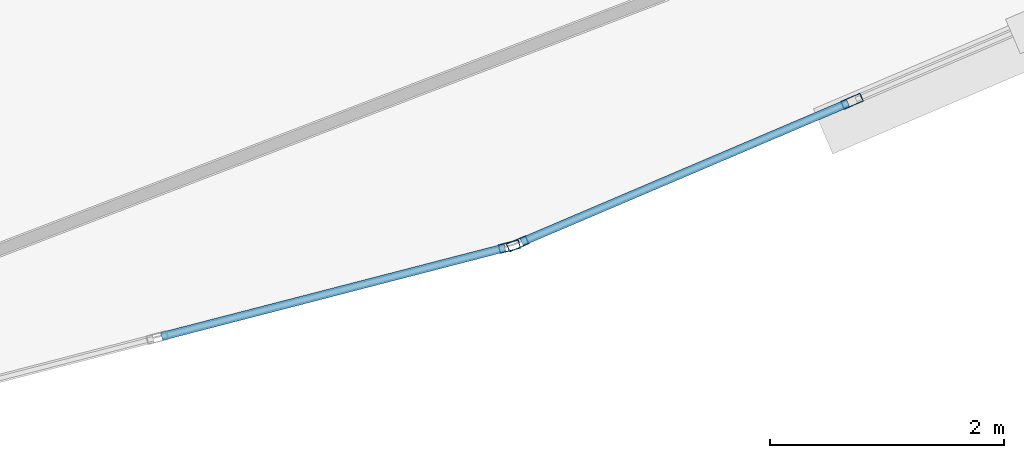
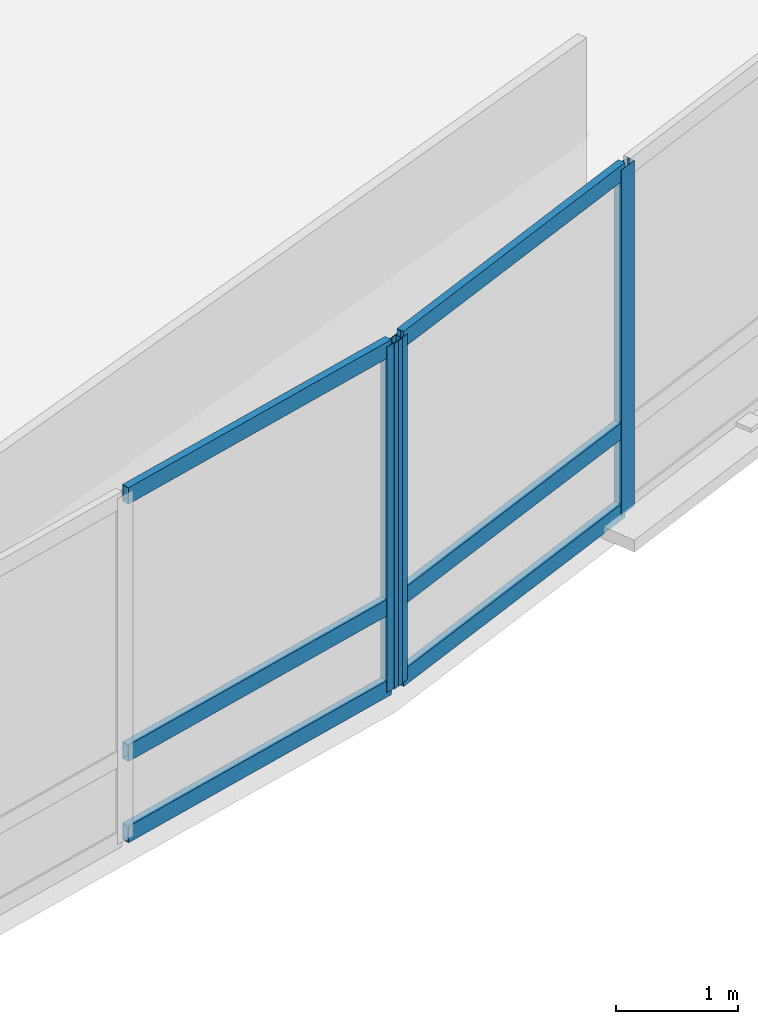
# One storey, part 6 of 20: 9 members, 2 elements without a shape of their own.
"""IFC4 building model written with IfcOpenShell, lengths in metres."""

from ifc_helpers import new_model, si_unit, direction, frame, origin, origin_2d, place, context, subcontext, project, spatial, hollow_rectangle, extrude, material, layer, layer_set, material_profile, profile_set, type_object, element, aggregate, save


model = new_model("IFC4")

# Units and contexts
model_context = context("Model", 3, precision=1e-05, world=origin(), true_north=direction((0.0, 1.0)))
body_context = subcontext(model_context, "Body", "Model", "MODEL_VIEW")
ifc_project = project(units=[si_unit("LENGTHUNIT", "METRE"), si_unit("AREAUNIT", "SQUARE_METRE"), si_unit("VOLUMEUNIT", "CUBIC_METRE"), si_unit("PLANEANGLEUNIT", "RADIAN"), si_unit("MASSUNIT", "GRAM", prefix="KILO")], contexts=[model_context])

# Site, building, storey
site_placement = place(None, origin())
site = spatial("IfcSite", under=ifc_project, at=site_placement, CompositionType="ELEMENT")
building_placement = place(site_placement, origin())
building = spatial("IfcBuilding", under=site, at=building_placement, Name="Menara Vayukalpa", CompositionType="ELEMENT")
storey_placement = place(building_placement, frame((0.0, 0.0, 57.360107421875)))
storey = spatial("IfcBuildingStorey", under=building, at=storey_placement, Name="L13", CompositionType="ELEMENT", Elevation=57.360107421875)

# Curtain wall, member
ifc_material_1 = material(Name="Anodised Terracotta Aluminium Alloy 6063-T6", Category="masonry")
ifc_layer = layer(ifc_material_1, 0.179931640625)
ifc_layer_set = layer_set([ifc_layer], Name="Anodised Terracotta Aluminium Alloy 6063-T6")
curtain_wall_type = type_object("IfcCurtainWallType", Name="CW-CW4", PredefinedType="USERDEFINED", material=ifc_layer_set)
curtain_wall_1_placement = place(storey_placement, origin())
curtain_wall_1 = element("IfcCurtainWall", 1, at=curtain_wall_1_placement, inside=storey, type_object=curtain_wall_type, Name="L13 Sky Bar Cantilever Glazed Curtain Wall CW4 16", ObjectType="UNITISED", PredefinedType="USERDEFINED")
ifc_material_2 = material(Name="Anodised Terracotta Aluminium Alloy 6063-T6", Category="masonry")
ifc_material_profile_1 = material_profile(ifc_material_2, hollow_rectangle(XDim=0.074951171875, YDim=0.179931640625, WallThickness=0.00390625, at=origin_2d()), Name="ALU 75x180x4")
ifc_profile_set_1 = profile_set([ifc_material_profile_1], Name="Anodised Terracotta Aluminium Alloy 6063-T6")
member_type_1 = type_object("IfcMemberType", Name="CWM-CW4", PredefinedType="MULLION", material=ifc_profile_set_1)
member_1_placement = place(storey_placement, frame((38.3837890625, 10.78466796875, 0.0), z_axis=(0.0, 0.0, 1.0), x_axis=(-0.25040286747, 0.968141727209, 0.0)))
member_1 = element("IfcMember", 2, at=member_1_placement, type_object=member_type_1, Name="CW4 mullion 4", PredefinedType="MULLION", context=body_context, shape_type="SweptSolid", body=[
    extrude(hollow_rectangle(XDim=0.074951171875, YDim=0.179931640625, WallThickness=0.00390625, at=origin_2d()), origin(), (0.0, 0.0, 1.0), 3.469970703125),
])

# Curtain wall, members
curtain_wall_2_placement = place(storey_placement, origin())
curtain_wall_2 = element("IfcCurtainWall", 3, at=curtain_wall_2_placement, inside=storey, type_object=curtain_wall_type, Name="L13 Sky Bar Cantilever Glazed Curtain Wall CW4 17", ObjectType="UNITISED", PredefinedType="USERDEFINED")
member_2_placement = place(storey_placement, frame((38.45458984375, 10.80859375, 0.0), z_axis=(0.0, 0.0, 1.0), x_axis=(-0.392008132718, 0.919961751315, 0.0)))
member_2 = element("IfcMember", 4, at=member_2_placement, type_object=member_type_1, Name="CW4 mullion 1", PredefinedType="MULLION", context=body_context, shape_type="SweptSolid", body=[
    extrude(hollow_rectangle(XDim=0.074951171875, YDim=0.179931640625, WallThickness=0.00390625, at=origin_2d()), origin(), (0.0, 0.0, 1.0), 3.469970703125),
])
member_3_placement = place(storey_placement, frame((41.3125, 12.026611328125, 0.0), z_axis=(0.0, 0.0, 1.0), x_axis=(-0.392008132718, 0.919961751315, 0.0)))
member_3 = element("IfcMember", 5, at=member_3_placement, type_object=member_type_1, Name="CW4 mullion 2", PredefinedType="MULLION", context=body_context, shape_type="SweptSolid", body=[
    extrude(hollow_rectangle(XDim=0.074951171875, YDim=0.179931640625, WallThickness=0.00390625, at=origin_2d()), origin(), (0.0, 0.0, 1.0), 3.469970703125),
])

# Member
ifc_material_3 = material(Name="Anodised Terracotta Aluminium Alloy 6063-T6", Category="masonry")
ifc_material_profile_2 = material_profile(ifc_material_3, hollow_rectangle(XDim=0.070068359375, YDim=0.1650390625, WallThickness=0.00390625, at=origin_2d()), Name="ALU 70x165x4")
ifc_profile_set_2 = profile_set([ifc_material_profile_2], Name="Anodised Terracotta Aluminium Alloy 6063-T6")
member_type_2 = type_object("IfcMemberType", Name="CWT-CW4", PredefinedType="USERDEFINED", material=ifc_profile_set_2)
member_4_placement = place(storey_placement, frame((35.412353515625, 10.01611328125, 0.034912109375), z_axis=(0.968149604166, 0.250372410527, 0.0), x_axis=(-0.250372410527, 0.968149604166, 0.0)))
member_4 = element("IfcMember", 6, at=member_4_placement, type_object=member_type_2, Name="CW4 transom 3.1", ObjectType="TRANSOM", PredefinedType="USERDEFINED", context=body_context, shape_type="SweptSolid", body=[
    extrude(hollow_rectangle(XDim=0.070068359375, YDim=0.1650390625, WallThickness=0.00390625, at=origin_2d()), origin(), (0.0, 0.0, 1.0), 3.03173828125),
])

member_5_placement = place(storey_placement, frame((35.412353515625, 10.01611328125, 0.849853515625), z_axis=(0.968149604166, 0.250372410527, 0.0), x_axis=(-0.250372410527, 0.968149604166, 0.0)))
member_5 = element("IfcMember", 7, at=member_5_placement, type_object=member_type_2, Name="CW4 transom 3.2", ObjectType="TRANSOM", PredefinedType="USERDEFINED", context=body_context, shape_type="SweptSolid", body=[
    extrude(hollow_rectangle(XDim=0.070068359375, YDim=0.1650390625, WallThickness=0.00390625, at=origin_2d()), origin(), (0.0, 0.0, 1.0), 3.03173828125),
])

member_6_placement = place(storey_placement, frame((35.412353515625, 10.01611328125, 3.434814453125), z_axis=(0.968149604166, 0.250372410527, 0.0), x_axis=(-0.250372410527, 0.968149604166, 0.0)))
member_6 = element("IfcMember", 8, at=member_6_placement, type_object=member_type_2, Name="CW4 transom 3.3", ObjectType="TRANSOM", PredefinedType="USERDEFINED", context=body_context, shape_type="SweptSolid", body=[
    extrude(hollow_rectangle(XDim=0.070068359375, YDim=0.1650390625, WallThickness=0.00390625, at=origin_2d()), origin(), (0.0, 0.0, 1.0), 3.03173828125),
])

aggregate(curtain_wall_1, [member_1, member_4, member_5, member_6])

member_7_placement = place(storey_placement, frame((38.489013671875, 10.823486328125, 0.034912109375), z_axis=(0.919988490059, 0.391945376498, 0.0), x_axis=(-0.391945376498, 0.919988490059, 0.0)))
member_7 = element("IfcMember", 9, at=member_7_placement, type_object=member_type_2, Name="CW4 transom 1.1", ObjectType="TRANSOM", PredefinedType="USERDEFINED", context=body_context, shape_type="SweptSolid", body=[
    extrude(hollow_rectangle(XDim=0.070068359375, YDim=0.1650390625, WallThickness=0.00390625, at=origin_2d()), origin(), (0.0, 0.0, 1.0), 3.03173828125),
])

member_8_placement = place(storey_placement, frame((38.489013671875, 10.823486328125, 0.849853515625), z_axis=(0.919988490059, 0.391945376498, 0.0), x_axis=(-0.391945376498, 0.919988490059, 0.0)))
member_8 = element("IfcMember", 10, at=member_8_placement, type_object=member_type_2, Name="CW4 transom 1.2", ObjectType="TRANSOM", PredefinedType="USERDEFINED", context=body_context, shape_type="SweptSolid", body=[
    extrude(hollow_rectangle(XDim=0.070068359375, YDim=0.1650390625, WallThickness=0.00390625, at=origin_2d()), origin(), (0.0, 0.0, 1.0), 3.03173828125),
])

member_9_placement = place(storey_placement, frame((38.489013671875, 10.823486328125, 3.434814453125), z_axis=(0.919988490059, 0.391945376498, 0.0), x_axis=(-0.391945376498, 0.919988490059, 0.0)))
member_9 = element("IfcMember", 11, at=member_9_placement, type_object=member_type_2, Name="CW4 transom 1.3", ObjectType="TRANSOM", PredefinedType="USERDEFINED", context=body_context, shape_type="SweptSolid", body=[
    extrude(hollow_rectangle(XDim=0.070068359375, YDim=0.1650390625, WallThickness=0.00390625, at=origin_2d()), origin(), (0.0, 0.0, 1.0), 3.03173828125),
])

aggregate(curtain_wall_2, [member_2, member_3, member_7, member_8, member_9])

save(model, "model.ifc")
